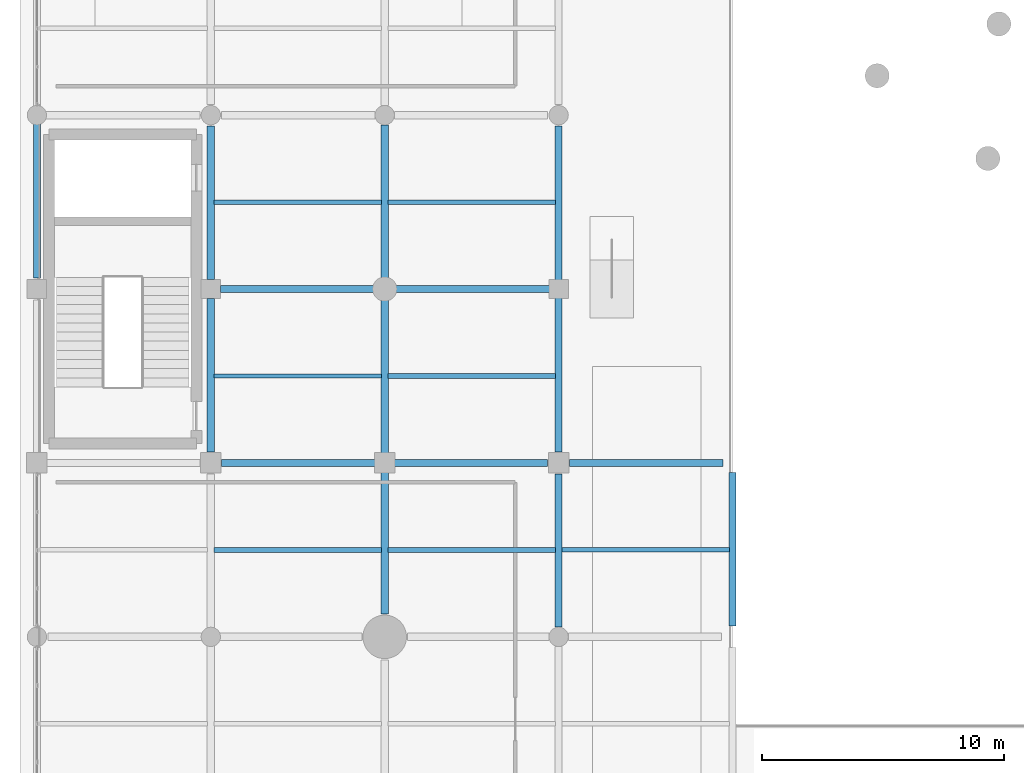
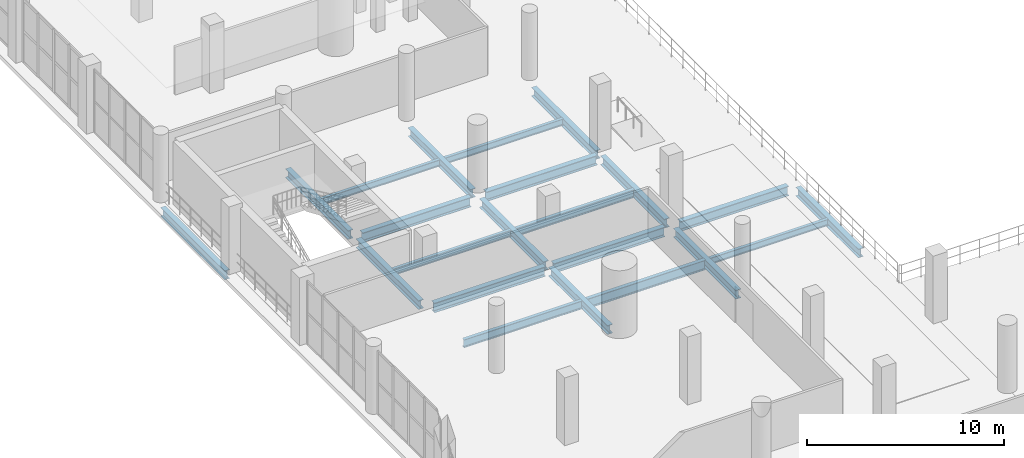
# One storey, part 20 of 153: 22 beams.
"""IFC4 building model written with IfcOpenShell, lengths in metres."""

from ifc_helpers import new_model, si_unit, direction, frame, origin, origin_2d, place, context, subcontext, project, spatial, i_section, extrude, material, material_profile, profile_set, type_object, element, save


model = new_model("IFC4")

# Units and contexts
model_context = context("Model", 3, precision=1e-05, world=origin(), true_north=direction((0.0, 1.0)))
body_context = subcontext(model_context, "Body", "Model", "MODEL_VIEW")
ifc_project = project(units=[si_unit("LENGTHUNIT", "METRE"), si_unit("AREAUNIT", "SQUARE_METRE"), si_unit("VOLUMEUNIT", "CUBIC_METRE"), si_unit("PLANEANGLEUNIT", "RADIAN"), si_unit("MASSUNIT", "GRAM", prefix="KILO")], contexts=[model_context])

# Site, building, storey
site_placement = place(None, origin())
site = spatial("IfcSite", under=ifc_project, at=site_placement, CompositionType="ELEMENT")
building_placement = place(site_placement, origin())
building = spatial("IfcBuilding", under=site, at=building_placement, Name="Qandorah Velis Arena", CompositionType="ELEMENT")
storey_placement = place(building_placement, frame((0.0, 0.0, 5.39990234375)))
storey = spatial("IfcBuildingStorey", under=building, at=storey_placement, Name="L01", CompositionType="ELEMENT", Elevation=5.39990234375)

# Beams
ifc_material = material(Name="Steel S355", Category="steel")
ifc_material_profile_1 = material_profile(ifc_material, i_section(OverallWidth=0.300048828125, OverallDepth=0.550048828125, WebThickness=0.014892578125, FlangeThickness=0.029052734375, FilletRadius=0.027099609375, at=origin_2d()), Name="HEB 550")
ifc_profile_set_1 = profile_set([ifc_material_profile_1], Name="Steel S355")
beam_type_1 = type_object("IfcBeamType", Name="STR-BM-HEB550", PredefinedType="BEAM", material=ifc_profile_set_1)
beam_1_placement = place(storey_placement, frame((0.0, 43.64990234375, -0.635009765625), z_axis=(0.0, 1.0, 0.0), x_axis=(-1.0, 0.0, 0.0)))
element("IfcBeam", 1, at=beam_1_placement, inside=storey, type_object=beam_type_1, Name="Primary floor girder L01 Y-226", PredefinedType="BEAM", context=body_context, shape_type="SweptSolid", body=[
    extrude(i_section(OverallWidth=0.300048828125, OverallDepth=0.550048828125, WebThickness=0.014892578125, FlangeThickness=0.029052734375, FilletRadius=0.027099609375, at=origin_2d()), origin(), (0.0, 0.0, 1.0), 6.5),
])
beam_2_placement = place(storey_placement, frame((7.199951171875, 36.449951171875, -0.635009765625), z_axis=(0.0, 1.0, 0.0), x_axis=(-1.0, 0.0, 0.0)))
element("IfcBeam", 2, at=beam_2_placement, inside=storey, type_object=beam_type_1, Name="Primary floor girder L01 Y-243", PredefinedType="BEAM", context=body_context, shape_type="SweptSolid", body=[
    extrude(i_section(OverallWidth=0.300048828125, OverallDepth=0.550048828125, WebThickness=0.014892578125, FlangeThickness=0.029052734375, FilletRadius=0.027099609375, at=origin_2d()), origin(), (0.0, 0.0, 1.0), 6.35009765625),
])
beam_3_placement = place(storey_placement, frame((7.199951171875, 43.60009765625, -0.635009765625), z_axis=(0.0, 1.0, 0.0), x_axis=(-1.0, 0.0, 0.0)))
element("IfcBeam", 3, at=beam_3_placement, inside=storey, type_object=beam_type_1, Name="Primary floor girder L01 Y-244", PredefinedType="BEAM", context=body_context, shape_type="SweptSolid", body=[
    extrude(i_section(OverallWidth=0.300048828125, OverallDepth=0.550048828125, WebThickness=0.014892578125, FlangeThickness=0.029052734375, FilletRadius=0.027099609375, at=origin_2d()), origin(), (0.0, 0.0, 1.0), 6.349853515625),
])
beam_4_placement = place(storey_placement, frame((14.39990234375, 29.75, -0.635009765625), z_axis=(0.0, 1.0, 0.0), x_axis=(-1.0, 0.0, 0.0)))
element("IfcBeam", 4, at=beam_4_placement, inside=storey, type_object=beam_type_1, Name="Primary floor girder L01 Y-260", PredefinedType="BEAM", context=body_context, shape_type="SweptSolid", body=[
    extrude(i_section(OverallWidth=0.300048828125, OverallDepth=0.550048828125, WebThickness=0.014892578125, FlangeThickness=0.029052734375, FilletRadius=0.027099609375, at=origin_2d()), origin(), (0.0, 0.0, 1.0), 6.0),
])
beam_5_placement = place(storey_placement, frame((14.39990234375, 36.25, -0.635009765625), z_axis=(0.0, 1.0, 0.0), x_axis=(-1.0, 0.0, 0.0)))
element("IfcBeam", 5, at=beam_5_placement, inside=storey, type_object=beam_type_1, Name="Primary floor girder L01 Y-261", PredefinedType="BEAM", context=body_context, shape_type="SweptSolid", body=[
    extrude(i_section(OverallWidth=0.300048828125, OverallDepth=0.550048828125, WebThickness=0.014892578125, FlangeThickness=0.029052734375, FilletRadius=0.027099609375, at=origin_2d()), origin(), (0.0, 0.0, 1.0), 6.5),
])
for number, where, z_axis, x_axis, name in (
    (6, (14.39990234375, 43.64990234375, -0.635009765625), (0.0, 1.0, 0.0), (-1.0, 0.0, 0.0), "Primary floor girder L01 Y-262"),
    (7, (21.60009765625, 29.199951171875, -0.635009765625), (0.0, 1.0, 0.0), (-1.0, 0.0, 0.0), "Primary floor girder L01 Y-278"),
):
    element("IfcBeam", number, at=place(storey_placement, frame(where, z_axis=z_axis, x_axis=x_axis)), inside=storey, type_object=beam_type_1, Name=name, PredefinedType="BEAM", context=body_context, shape_type="SweptSolid", body=[
        extrude(i_section(OverallWidth=0.300048828125, OverallDepth=0.550048828125, WebThickness=0.014892578125, FlangeThickness=0.029052734375, FilletRadius=0.027099609375, at=origin_2d()), origin(), (0.0, 0.0, 1.0), 6.35009765625),
    ])
for number, where, z_axis, x_axis, name in (
    (8, (21.60009765625, 36.449951171875, -0.635009765625), (0.0, 1.0, 0.0), (-1.0, 0.0, 0.0), "Primary floor girder L01 Y-279"),
    (9, (21.60009765625, 43.449951171875, -0.635009765625), (0.0, 1.0, 0.0), (-1.0, 0.0, 0.0), "Primary floor girder L01 Y-280"),
):
    element("IfcBeam", number, at=place(storey_placement, frame(where, z_axis=z_axis, x_axis=x_axis)), inside=storey, type_object=beam_type_1, Name=name, PredefinedType="BEAM", context=body_context, shape_type="SweptSolid", body=[
        extrude(i_section(OverallWidth=0.300048828125, OverallDepth=0.550048828125, WebThickness=0.014892578125, FlangeThickness=0.029052734375, FilletRadius=0.027099609375, at=origin_2d()), origin(), (0.0, 0.0, 1.0), 6.5),
    ])
beam_6_placement = place(storey_placement, frame((28.800048828125, 29.25, -0.635009765625), z_axis=(0.0, 1.0, 0.0), x_axis=(-1.0, 0.0, 0.0)))
element("IfcBeam", 10, at=beam_6_placement, inside=storey, type_object=beam_type_1, Name="Primary floor girder L01 Y-296", PredefinedType="BEAM", context=body_context, shape_type="SweptSolid", body=[
    extrude(i_section(OverallWidth=0.300048828125, OverallDepth=0.550048828125, WebThickness=0.014892578125, FlangeThickness=0.029052734375, FilletRadius=0.027099609375, at=origin_2d()), origin(), (0.0, 0.0, 1.0), 6.35009765625),
])
ifc_material_profile_2 = material_profile(ifc_material, i_section(OverallWidth=0.300048828125, OverallDepth=0.60009765625, WebThickness=0.015380859375, FlangeThickness=0.030029296875, FilletRadius=0.027099609375, at=origin_2d()), Name="HEB 600")
ifc_profile_set_2 = profile_set([ifc_material_profile_2], Name="Steel S355")
beam_type_2 = type_object("IfcBeamType", Name="STR-BM-HEB600", PredefinedType="BEAM", material=ifc_profile_set_2)
for number, where, z_axis, x_axis, name in (
    (11, (7.64990234375, 36.0, -0.659912109375), (1.0, 0.0, 0.0), (0.0, 1.0, 0.0), "Primary floor girder L01 X-073"),
    (12, (14.64990234375, 36.0, -0.659912109375), (1.0, 0.0, 0.0), (0.0, 1.0, 0.0), "Primary floor girder L01 X-074"),
):
    element("IfcBeam", number, at=place(storey_placement, frame(where, z_axis=z_axis, x_axis=x_axis)), inside=storey, type_object=beam_type_2, Name=name, PredefinedType="BEAM", context=body_context, shape_type="SweptSolid", body=[
        extrude(i_section(OverallWidth=0.300048828125, OverallDepth=0.60009765625, WebThickness=0.015380859375, FlangeThickness=0.030029296875, FilletRadius=0.027099609375, at=origin_2d()), origin(), (0.0, 0.0, 1.0), 6.5),
    ])
for number, where, z_axis, x_axis, name in (
    (13, (22.050048828125, 36.0, -0.659912109375), (1.0, 0.0, 0.0), (0.0, 1.0, 0.0), "Primary floor girder L01 X-075"),
    (14, (7.60009765625, 43.199951171875, -0.659912109375), (1.0, 0.0, 0.0), (0.0, 1.0, 0.0), "Primary floor girder L01 X-079"),
):
    element("IfcBeam", number, at=place(storey_placement, frame(where, z_axis=z_axis, x_axis=x_axis)), inside=storey, type_object=beam_type_2, Name=name, PredefinedType="BEAM", context=body_context, shape_type="SweptSolid", body=[
        extrude(i_section(OverallWidth=0.300048828125, OverallDepth=0.60009765625, WebThickness=0.015380859375, FlangeThickness=0.030029296875, FilletRadius=0.027099609375, at=origin_2d()), origin(), (0.0, 0.0, 1.0), 6.349853515625),
    ])
beam_7_placement = place(storey_placement, frame((14.85009765625, 43.199951171875, -0.659912109375), z_axis=(1.0, 0.0, 0.0), x_axis=(0.0, 1.0, 0.0)))
element("IfcBeam", 15, at=beam_7_placement, inside=storey, type_object=beam_type_2, Name="Primary floor girder L01 X-080", PredefinedType="BEAM", context=body_context, shape_type="SweptSolid", body=[
    extrude(i_section(OverallWidth=0.300048828125, OverallDepth=0.60009765625, WebThickness=0.015380859375, FlangeThickness=0.030029296875, FilletRadius=0.027099609375, at=origin_2d()), origin(), (0.0, 0.0, 1.0), 6.5),
])
ifc_material_profile_3 = material_profile(ifc_material, i_section(OverallWidth=0.179931640625, OverallDepth=0.39990234375, WebThickness=0.008544921875, FlangeThickness=0.013427734375, FilletRadius=0.02099609375, at=origin_2d()), Name="IPE 400")
ifc_profile_set_3 = profile_set([ifc_material_profile_3], Name="Steel S355")
beam_type_3 = type_object("IfcBeamType", Name="STR-JST-IPE400", PredefinedType="JOIST", material=ifc_profile_set_3)
for number, where, z_axis, x_axis, name in (
    (16, (7.3349609375, 39.60009765625, -0.559814453125), (1.0, 0.0, 0.0), (0.0, 1.0, 0.0), "Secondary floor joist L01-020"),
    (17, (7.3349609375, 46.800048828125, -0.559814453125), (1.0, 0.0, 0.0), (0.0, 1.0, 0.0), "Secondary floor joist L01-021"),
):
    element("IfcBeam", number, at=place(storey_placement, frame(where, z_axis=z_axis, x_axis=x_axis)), inside=storey, type_object=beam_type_3, Name=name, PredefinedType="JOIST", context=body_context, shape_type="SweptSolid", body=[
        extrude(i_section(OverallWidth=0.179931640625, OverallDepth=0.39990234375, WebThickness=0.008544921875, FlangeThickness=0.013427734375, FilletRadius=0.02099609375, at=origin_2d()), origin(), (0.0, 0.0, 1.0), 6.929931640625),
    ])
beam_8_placement = place(storey_placement, frame((14.534912109375, 46.800048828125, -0.559814453125), z_axis=(1.0, 0.0, 0.0), x_axis=(0.0, 1.0, 0.0)))
element("IfcBeam", 18, at=beam_8_placement, inside=storey, type_object=beam_type_3, Name="Secondary floor joist L01-039", PredefinedType="JOIST", context=body_context, shape_type="SweptSolid", body=[
    extrude(i_section(OverallWidth=0.179931640625, OverallDepth=0.39990234375, WebThickness=0.008544921875, FlangeThickness=0.013427734375, FilletRadius=0.02099609375, at=origin_2d()), origin(), (0.0, 0.0, 1.0), 6.93017578125),
])
beam_9_placement = place(storey_placement, frame((21.735107421875, 32.39990234375, -0.559814453125), z_axis=(1.0, 0.0, 0.0), x_axis=(0.0, 1.0, 0.0)))
element("IfcBeam", 19, at=beam_9_placement, inside=storey, type_object=beam_type_3, Name="Secondary floor joist L01-055", PredefinedType="JOIST", context=body_context, shape_type="SweptSolid", body=[
    extrude(i_section(OverallWidth=0.179931640625, OverallDepth=0.39990234375, WebThickness=0.008544921875, FlangeThickness=0.013427734375, FilletRadius=0.02099609375, at=origin_2d()), origin(), (0.0, 0.0, 1.0), 6.929931640625),
])
ifc_material_profile_4 = material_profile(ifc_material, i_section(OverallWidth=0.199951171875, OverallDepth=0.5, WebThickness=0.01025390625, FlangeThickness=0.01611328125, FilletRadius=0.02099609375, at=origin_2d()), Name="IPE 500")
ifc_profile_set_4 = profile_set([ifc_material_profile_4], Name="Steel S355")
beam_type_4 = type_object("IfcBeamType", Name="STR-JST-IPE500", PredefinedType="JOIST", material=ifc_profile_set_4)
beam_10_placement = place(storey_placement, frame((7.3349609375, 32.39990234375, -0.60986328125), z_axis=(1.0, 0.0, 0.0), x_axis=(0.0, 1.0, 0.0)))
element("IfcBeam", 20, at=beam_10_placement, inside=storey, type_object=beam_type_4, Name="Secondary floor joist L01-019", PredefinedType="JOIST", context=body_context, shape_type="SweptSolid", body=[
    extrude(i_section(OverallWidth=0.199951171875, OverallDepth=0.5, WebThickness=0.01025390625, FlangeThickness=0.01611328125, FilletRadius=0.02099609375, at=origin_2d()), origin(), (0.0, 0.0, 1.0), 6.929931640625),
])
beam_11_placement = place(storey_placement, frame((14.534912109375, 39.60009765625, -0.60986328125), z_axis=(1.0, 0.0, 0.0), x_axis=(0.0, 1.0, 0.0)))
element("IfcBeam", 21, at=beam_11_placement, inside=storey, type_object=beam_type_4, Name="Secondary floor joist L01-038", PredefinedType="JOIST", context=body_context, shape_type="SweptSolid", body=[
    extrude(i_section(OverallWidth=0.199951171875, OverallDepth=0.5, WebThickness=0.01025390625, FlangeThickness=0.01611328125, FilletRadius=0.02099609375, at=origin_2d()), origin(), (0.0, 0.0, 1.0), 6.93017578125),
])
ifc_material_profile_5 = material_profile(ifc_material, i_section(OverallWidth=0.219970703125, OverallDepth=0.60009765625, WebThickness=0.011962890625, FlangeThickness=0.01904296875, FilletRadius=0.02392578125, at=origin_2d()), Name="IPE 600")
ifc_profile_set_5 = profile_set([ifc_material_profile_5], Name="Steel S355")
beam_type_5 = type_object("IfcBeamType", Name="STR-JST-IPE600", PredefinedType="JOIST", material=ifc_profile_set_5)
beam_12_placement = place(storey_placement, frame((14.534912109375, 32.39990234375, -0.659912109375), z_axis=(1.0, 0.0, 0.0), x_axis=(0.0, 1.0, 0.0)))
element("IfcBeam", 22, at=beam_12_placement, inside=storey, type_object=beam_type_5, Name="Secondary floor joist L01-037", PredefinedType="JOIST", context=body_context, shape_type="SweptSolid", body=[
    extrude(i_section(OverallWidth=0.219970703125, OverallDepth=0.60009765625, WebThickness=0.011962890625, FlangeThickness=0.01904296875, FilletRadius=0.02392578125, at=origin_2d()), origin(), (0.0, 0.0, 1.0), 6.93017578125),
])

save(model, "model.ifc")
